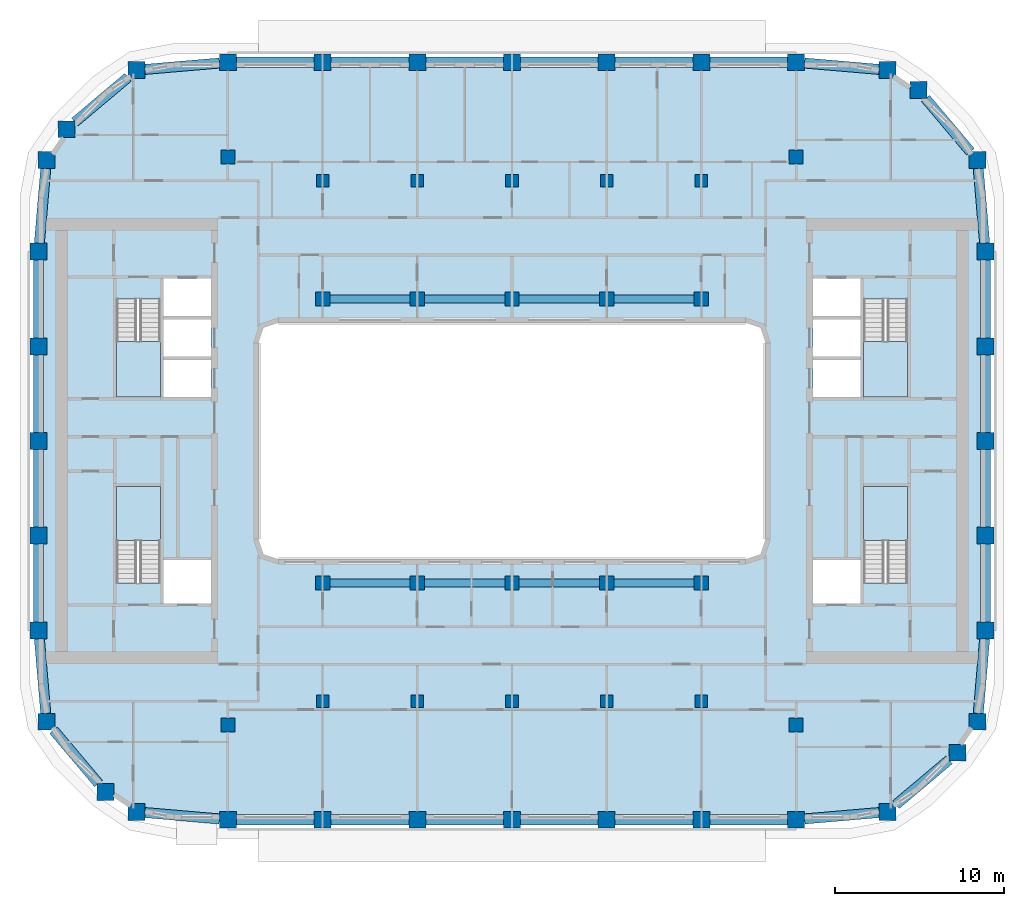
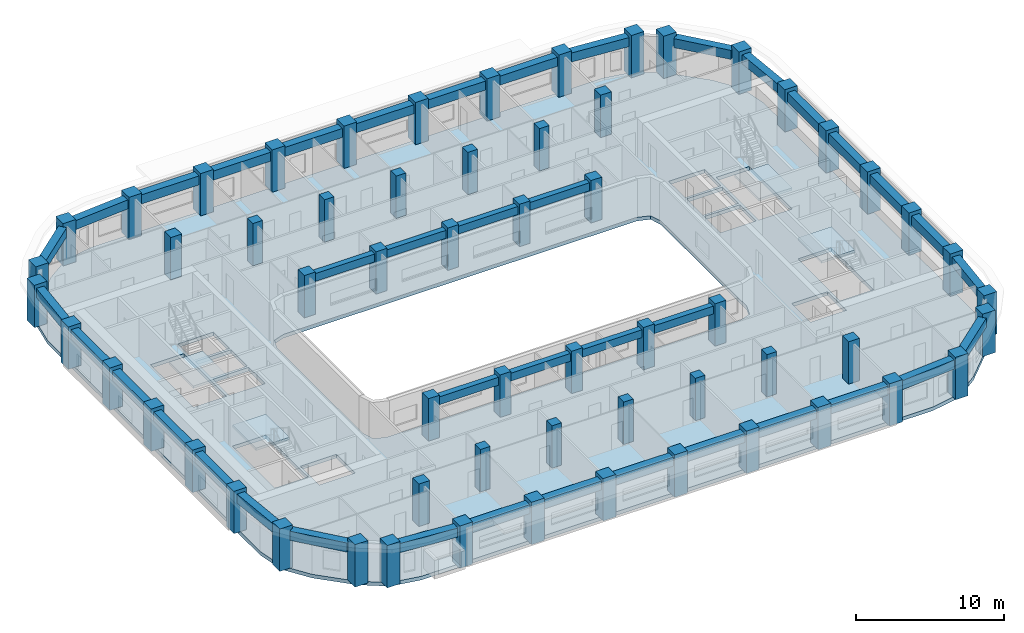
# One storey, part 1 of 22: 60 columns, 40 beams, 5 slabs, 4 elements without a shape of their own.
"""IFC4 building model written with IfcOpenShell, lengths in metres."""

from ifc_helpers import new_model, si_unit, direction, frame, origin, origin_2d, place, context, subcontext, project, spatial, polyline, rectangle, outline, extrude, material, layer, layer_set, material_profile, profile_set, type_object, element, aggregate, save


model = new_model("IFC4")

# Units and contexts
model_context = context("Model", 3, precision=1e-05, world=origin(), true_north=direction((0.0, 1.0)))
body_context = subcontext(model_context, "Body", "Model", "MODEL_VIEW")
ifc_project = project(units=[si_unit("LENGTHUNIT", "METRE"), si_unit("AREAUNIT", "SQUARE_METRE"), si_unit("VOLUMEUNIT", "CUBIC_METRE"), si_unit("PLANEANGLEUNIT", "RADIAN"), si_unit("MASSUNIT", "GRAM", prefix="KILO")], contexts=[model_context])

# Site, building, storey
site_placement = place(None, origin())
site = spatial("IfcSite", under=ifc_project, at=site_placement, CompositionType="ELEMENT")
building_placement = place(site_placement, origin())
building = spatial("IfcBuilding", under=site, at=building_placement, Name="Kiln Ring Residences", CompositionType="ELEMENT")
storey_placement = place(building_placement, frame((0.0, 0.0, 171.10009765625)))
storey = spatial("IfcBuildingStorey", under=building, at=storey_placement, Name="L44", CompositionType="ELEMENT", Elevation=171.10009765625)

# Columns
ifc_material_1 = material(Name="Concrete C70/85", Category="concrete")
ifc_material_profile_1 = material_profile(ifc_material_1, rectangle(XDim=0.75, YDim=0.75, at=origin_2d()), Name="RC750x750")
ifc_profile_set_1 = profile_set([ifc_material_profile_1], Name="Concrete C70/85")
column_type_1 = type_object("IfcColumnType", Name="Corridor column RC750x750 C70/85", PredefinedType="COLUMN", material=ifc_profile_set_1)
for number, where, z_axis, x_axis, name in (
    (1, (-11.199951171875, 15.39990234375, 0.0), (0.0, 0.0, 1.0), (1.0, 0.0, 0.0), "Corridor column L44 1"),
    (2, (-5.60009765625, 15.39990234375, 0.0), (0.0, 0.0, 1.0), (1.0, 0.0, 0.0), "Corridor column L44 2"),
    (3, (0.0, 15.39990234375, 0.0), (0.0, 0.0, 1.0), (1.0, 0.0, 0.0), "Corridor column L44 3"),
    (4, (5.60009765625, 15.39990234375, 0.0), (0.0, 0.0, 1.0), (1.0, 0.0, 0.0), "Corridor column L44 4"),
    (5, (11.199951171875, 15.39990234375, 0.0), (0.0, 0.0, 1.0), (1.0, 0.0, 0.0), "Corridor column L44 5"),
    (6, (-11.199951171875, -15.39990234375, 0.0), (0.0, 0.0, 1.0), (1.0, 0.0, 0.0), "Corridor column L44 6"),
    (7, (-5.60009765625, -15.39990234375, 0.0), (0.0, 0.0, 1.0), (1.0, 0.0, 0.0), "Corridor column L44 7"),
    (8, (0.0, -15.39990234375, 0.0), (0.0, 0.0, 1.0), (1.0, 0.0, 0.0), "Corridor column L44 8"),
    (9, (5.60009765625, -15.39990234375, 0.0), (0.0, 0.0, 1.0), (1.0, 0.0, 0.0), "Corridor column L44 9"),
    (10, (11.199951171875, -15.39990234375, 0.0), (0.0, 0.0, 1.0), (1.0, 0.0, 0.0), "Corridor column L44 10"),
):
    element("IfcColumn", number, at=place(storey_placement, frame(where, z_axis=z_axis, x_axis=x_axis)), inside=storey, type_object=column_type_1, Name=name, PredefinedType="COLUMN", context=body_context, shape_type="SweptSolid", body=[
        extrude(rectangle(XDim=0.75, YDim=0.75, at=origin_2d()), origin(), (0.0, 0.0, 1.0), 3.5),
    ])
ifc_material_2 = material(Name="Concrete C70/85", Category="concrete")
ifc_material_profile_2 = material_profile(ifc_material_2, rectangle(XDim=1.0, YDim=1.0, at=origin_2d()), Name="RC1000x1000")
ifc_profile_set_2 = profile_set([ifc_material_profile_2], Name="Concrete C70/85")
column_type_2 = type_object("IfcColumnType", Name="Perimeter column RC1000x1000 C70/85", PredefinedType="COLUMN", material=ifc_profile_set_2)
for number, where, z_axis, x_axis, name in (
    (11, (-22.208740234375, -21.93798828125, 0.0), (0.0, 0.0, 1.0), (1.0, 0.0, 0.0), "Perimeter column L44 1"),
    (12, (-16.800048828125, -22.39990234375, 0.0), (0.0, 0.0, 1.0), (1.0, 0.0, 0.0), "Perimeter column L44 2"),
    (13, (-11.199951171875, -22.39990234375, 0.0), (0.0, 0.0, 1.0), (1.0, 0.0, 0.0), "Perimeter column L44 3"),
    (14, (-5.60009765625, -22.39990234375, 0.0), (0.0, 0.0, 1.0), (1.0, 0.0, 0.0), "Perimeter column L44 4"),
    (15, (0.0, -22.39990234375, 0.0), (0.0, 0.0, 1.0), (1.0, 0.0, 0.0), "Perimeter column L44 5"),
    (16, (5.60009765625, -22.39990234375, 0.0), (0.0, 0.0, 1.0), (1.0, 0.0, 0.0), "Perimeter column L44 6"),
    (17, (11.199951171875, -22.39990234375, 0.0), (0.0, 0.0, 1.0), (1.0, 0.0, 0.0), "Perimeter column L44 7"),
    (18, (16.800048828125, -22.39990234375, 0.0), (0.0, 0.0, 1.0), (1.0, 0.0, 0.0), "Perimeter column L44 8"),
    (19, (22.208740234375, -21.93798828125, 0.0), (0.0, 0.0, 1.0), (1.0, 0.0, 0.0), "Perimeter column L44 9"),
    (20, (26.35986328125, -18.440185546875, 0.0), (0.0, 0.0, 1.0), (1.0, 0.0, 0.0), "Perimeter column L44 10"),
    (21, (27.5380859375, -16.608642578125, 0.0), (0.0, 0.0, 1.0), (1.0, 0.0, 0.0), "Perimeter column L44 11"),
    (22, (28.0, -11.199951171875, 0.0), (0.0, 0.0, 1.0), (1.0, 0.0, 0.0), "Perimeter column L44 12"),
    (23, (28.0, -5.60009765625, 0.0), (0.0, 0.0, 1.0), (1.0, 0.0, 0.0), "Perimeter column L44 13"),
    (24, (28.0, 0.0, 0.0), (0.0, 0.0, 1.0), (1.0, 0.0, 0.0), "Perimeter column L44 14"),
    (25, (28.0, 5.60009765625, 0.0), (0.0, 0.0, 1.0), (1.0, 0.0, 0.0), "Perimeter column L44 15"),
    (26, (28.0, 11.199951171875, 0.0), (0.0, 0.0, 1.0), (1.0, 0.0, 0.0), "Perimeter column L44 16"),
    (27, (27.5380859375, 16.608642578125, 0.0), (0.0, 0.0, 1.0), (1.0, 0.0, 0.0), "Perimeter column L44 17"),
    (28, (24.040283203125, 20.759765625, 0.0), (0.0, 0.0, 1.0), (1.0, 0.0, 0.0), "Perimeter column L44 18"),
    (29, (22.208740234375, 21.93798828125, 0.0), (0.0, 0.0, 1.0), (1.0, 0.0, 0.0), "Perimeter column L44 19"),
    (30, (16.800048828125, 22.39990234375, 0.0), (0.0, 0.0, 1.0), (1.0, 0.0, 0.0), "Perimeter column L44 20"),
    (31, (11.199951171875, 22.39990234375, 0.0), (0.0, 0.0, 1.0), (1.0, 0.0, 0.0), "Perimeter column L44 21"),
    (32, (5.60009765625, 22.39990234375, 0.0), (0.0, 0.0, 1.0), (1.0, 0.0, 0.0), "Perimeter column L44 22"),
    (33, (0.0, 22.39990234375, 0.0), (0.0, 0.0, 1.0), (1.0, 0.0, 0.0), "Perimeter column L44 23"),
    (34, (-5.60009765625, 22.39990234375, 0.0), (0.0, 0.0, 1.0), (1.0, 0.0, 0.0), "Perimeter column L44 24"),
    (35, (-11.199951171875, 22.39990234375, 0.0), (0.0, 0.0, 1.0), (1.0, 0.0, 0.0), "Perimeter column L44 25"),
    (36, (-16.800048828125, 22.39990234375, 0.0), (0.0, 0.0, 1.0), (1.0, 0.0, 0.0), "Perimeter column L44 26"),
    (37, (-22.208740234375, 21.93798828125, 0.0), (0.0, 0.0, 1.0), (1.0, 0.0, 0.0), "Perimeter column L44 27"),
    (38, (-26.35986328125, 18.440185546875, 0.0), (0.0, 0.0, 1.0), (1.0, 0.0, 0.0), "Perimeter column L44 28"),
    (39, (-27.5380859375, 16.608642578125, 0.0), (0.0, 0.0, 1.0), (1.0, 0.0, 0.0), "Perimeter column L44 29"),
    (40, (-28.0, 11.199951171875, 0.0), (0.0, 0.0, 1.0), (1.0, 0.0, 0.0), "Perimeter column L44 30"),
    (41, (-28.0, 5.60009765625, 0.0), (0.0, 0.0, 1.0), (1.0, 0.0, 0.0), "Perimeter column L44 31"),
    (42, (-28.0, 0.0, 0.0), (0.0, 0.0, 1.0), (1.0, 0.0, 0.0), "Perimeter column L44 32"),
    (43, (-28.0, -5.60009765625, 0.0), (0.0, 0.0, 1.0), (1.0, 0.0, 0.0), "Perimeter column L44 33"),
    (44, (-28.0, -11.199951171875, 0.0), (0.0, 0.0, 1.0), (1.0, 0.0, 0.0), "Perimeter column L44 34"),
    (45, (-27.5380859375, -16.608642578125, 0.0), (0.0, 0.0, 1.0), (1.0, 0.0, 0.0), "Perimeter column L44 35"),
    (46, (-24.040283203125, -20.759765625, 0.0), (0.0, 0.0, 1.0), (1.0, 0.0, 0.0), "Perimeter column L44 36"),
):
    element("IfcColumn", number, at=place(storey_placement, frame(where, z_axis=z_axis, x_axis=x_axis)), inside=storey, type_object=column_type_2, Name=name, PredefinedType="COLUMN", context=body_context, shape_type="SweptSolid", body=[
        extrude(rectangle(XDim=1.0, YDim=1.0, at=origin_2d()), origin(), (0.0, 0.0, 1.0), 3.5),
    ])
ifc_material_3 = material(Name="Concrete C70/85", Category="concrete")
ifc_material_profile_3 = material_profile(ifc_material_3, rectangle(XDim=0.85009765625, YDim=0.85009765625, at=origin_2d()), Name="RC850x850")
ifc_profile_set_3 = profile_set([ifc_material_profile_3], Name="Concrete C70/85")
column_type_3 = type_object("IfcColumnType", Name="Ring column RC850x850 C70/85", PredefinedType="COLUMN", material=ifc_profile_set_3)
for number, where, z_axis, x_axis, name in (
    (47, (-16.800048828125, -16.800048828125, 0.0), (0.0, 0.0, 1.0), (1.0, 0.0, 0.0), "Ring column L44 1"),
    (48, (-16.800048828125, 16.800048828125, 0.0), (0.0, 0.0, 1.0), (1.0, 0.0, 0.0), "Ring column L44 2"),
    (49, (-11.199951171875, -8.39990234375, 0.0), (0.0, 0.0, 1.0), (1.0, 0.0, 0.0), "Ring column L44 3"),
    (50, (-11.199951171875, 8.39990234375, 0.0), (0.0, 0.0, 1.0), (1.0, 0.0, 0.0), "Ring column L44 4"),
    (51, (-5.60009765625, -8.39990234375, 0.0), (0.0, 0.0, 1.0), (1.0, 0.0, 0.0), "Ring column L44 5"),
    (52, (-5.60009765625, 8.39990234375, 0.0), (0.0, 0.0, 1.0), (1.0, 0.0, 0.0), "Ring column L44 6"),
    (53, (0.0, -8.39990234375, 0.0), (0.0, 0.0, 1.0), (1.0, 0.0, 0.0), "Ring column L44 7"),
    (54, (0.0, 8.39990234375, 0.0), (0.0, 0.0, 1.0), (1.0, 0.0, 0.0), "Ring column L44 8"),
    (55, (5.60009765625, -8.39990234375, 0.0), (0.0, 0.0, 1.0), (1.0, 0.0, 0.0), "Ring column L44 9"),
    (56, (5.60009765625, 8.39990234375, 0.0), (0.0, 0.0, 1.0), (1.0, 0.0, 0.0), "Ring column L44 10"),
    (57, (11.199951171875, -8.39990234375, 0.0), (0.0, 0.0, 1.0), (1.0, 0.0, 0.0), "Ring column L44 11"),
    (58, (11.199951171875, 8.39990234375, 0.0), (0.0, 0.0, 1.0), (1.0, 0.0, 0.0), "Ring column L44 12"),
    (59, (16.800048828125, -16.800048828125, 0.0), (0.0, 0.0, 1.0), (1.0, 0.0, 0.0), "Ring column L44 13"),
    (60, (16.800048828125, 16.800048828125, 0.0), (0.0, 0.0, 1.0), (1.0, 0.0, 0.0), "Ring column L44 14"),
):
    element("IfcColumn", number, at=place(storey_placement, frame(where, z_axis=z_axis, x_axis=x_axis)), inside=storey, type_object=column_type_3, Name=name, PredefinedType="COLUMN", context=body_context, shape_type="SweptSolid", body=[
        extrude(rectangle(XDim=0.85009765625, YDim=0.85009765625, at=origin_2d()), origin(), (0.0, 0.0, 1.0), 3.5),
    ])

# Beams
ifc_material_4 = material(Name="Concrete C50/60", Category="concrete")
ifc_material_profile_4 = material_profile(ifc_material_4, rectangle(XDim=0.449951171875, YDim=0.64990234375, at=origin_2d()), Name="RC450x650")
ifc_profile_set_4 = profile_set([ifc_material_profile_4], Name="Concrete C50/60")
beam_type_1 = type_object("IfcBeamType", Name="Ring beam RC450x650 C50/60", PredefinedType="BEAM", material=ifc_profile_set_4)
for number, where, z_axis, x_axis, name in (
    (61, (-10.77490234375, -8.39990234375, 2.875), (1.0, 0.0, 0.0), (0.0, 1.0, 0.0), "Ring beam L44 1"),
    (62, (-5.175048828125, -8.39990234375, 2.875), (1.0, 0.0, 0.0), (0.0, 1.0, 0.0), "Ring beam L44 2"),
    (63, (0.425048828125, -8.39990234375, 2.875), (1.0, 0.0, 0.0), (0.0, 1.0, 0.0), "Ring beam L44 3"),
    (64, (6.02490234375, -8.39990234375, 2.875), (1.0, 0.0, 0.0), (0.0, 1.0, 0.0), "Ring beam L44 4"),
    (65, (-10.77490234375, 8.39990234375, 2.875), (1.0, 0.0, 0.0), (0.0, 1.0, 0.0), "Ring beam L44 5"),
    (66, (-5.175048828125, 8.39990234375, 2.875), (1.0, 0.0, 0.0), (0.0, 1.0, 0.0), "Ring beam L44 6"),
    (67, (0.425048828125, 8.39990234375, 2.875), (1.0, 0.0, 0.0), (0.0, 1.0, 0.0), "Ring beam L44 7"),
    (68, (6.02490234375, 8.39990234375, 2.875), (1.0, 0.0, 0.0), (0.0, 1.0, 0.0), "Ring beam L44 8"),
):
    element("IfcBeam", number, at=place(storey_placement, frame(where, z_axis=z_axis, x_axis=x_axis)), inside=storey, type_object=beam_type_1, Name=name, PredefinedType="BEAM", context=body_context, shape_type="SweptSolid", body=[
        extrude(rectangle(XDim=0.449951171875, YDim=0.64990234375, at=origin_2d()), origin(), (0.0, 0.0, 1.0), 4.75),
    ])
ifc_material_5 = material(Name="Concrete C50/60", Category="concrete")
ifc_material_profile_5 = material_profile(ifc_material_5, rectangle(XDim=0.60009765625, YDim=0.75, at=origin_2d()), Name="RC600x750")
ifc_profile_set_5 = profile_set([ifc_material_profile_5], Name="Concrete C50/60")
beam_type_2 = type_object("IfcBeamType", Name="Spandrel beam RC600x750 C50/60", PredefinedType="SPANDREL", material=ifc_profile_set_5)
beam_1_placement = place(storey_placement, frame((-21.708740234375, -21.980712890625, 2.824951171875), z_axis=(0.996369283519, -0.0851366599, 0.0), x_axis=(0.0851366599, 0.996369283519, 0.0)))
element("IfcBeam", 69, at=beam_1_placement, inside=storey, type_object=beam_type_2, Name="Spandrel beam L44 1", PredefinedType="SPANDREL", context=body_context, shape_type="SweptSolid", body=[
    extrude(rectangle(XDim=0.60009765625, YDim=0.75, at=origin_2d()), origin(), (0.0, 0.0, 1.0), 4.4248046875),
])
beam_2_placement = place(storey_placement, frame((-16.300048828125, -22.39990234375, 2.824951171875), z_axis=(1.0, 0.0, 0.0), x_axis=(0.0, 1.0, 0.0)))
element("IfcBeam", 70, at=beam_2_placement, inside=storey, type_object=beam_type_2, Name="Spandrel beam L44 2", PredefinedType="SPANDREL", context=body_context, shape_type="SweptSolid", body=[
    extrude(rectangle(XDim=0.60009765625, YDim=0.75, at=origin_2d()), origin(), (0.0, 0.0, 1.0), 4.60009765625),
])
beam_3_placement = place(storey_placement, frame((-10.699951171875, -22.39990234375, 2.824951171875), z_axis=(1.0, 0.0, 0.0), x_axis=(0.0, 1.0, 0.0)))
element("IfcBeam", 71, at=beam_3_placement, inside=storey, type_object=beam_type_2, Name="Spandrel beam L44 3", PredefinedType="SPANDREL", context=body_context, shape_type="SweptSolid", body=[
    extrude(rectangle(XDim=0.60009765625, YDim=0.75, at=origin_2d()), origin(), (0.0, 0.0, 1.0), 4.599853515625),
])
for number, where, z_axis, x_axis, name in (
    (72, (-5.10009765625, -22.39990234375, 2.824951171875), (1.0, 0.0, 0.0), (0.0, 1.0, 0.0), "Spandrel beam L44 4"),
    (73, (0.5, -22.39990234375, 2.824951171875), (1.0, 0.0, 0.0), (0.0, 1.0, 0.0), "Spandrel beam L44 5"),
):
    element("IfcBeam", number, at=place(storey_placement, frame(where, z_axis=z_axis, x_axis=x_axis)), inside=storey, type_object=beam_type_2, Name=name, PredefinedType="SPANDREL", context=body_context, shape_type="SweptSolid", body=[
        extrude(rectangle(XDim=0.60009765625, YDim=0.75, at=origin_2d()), origin(), (0.0, 0.0, 1.0), 4.60009765625),
    ])
beam_4_placement = place(storey_placement, frame((6.10009765625, -22.39990234375, 2.824951171875), z_axis=(1.0, 0.0, 0.0), x_axis=(0.0, 1.0, 0.0)))
element("IfcBeam", 74, at=beam_4_placement, inside=storey, type_object=beam_type_2, Name="Spandrel beam L44 6", PredefinedType="SPANDREL", context=body_context, shape_type="SweptSolid", body=[
    extrude(rectangle(XDim=0.60009765625, YDim=0.75, at=origin_2d()), origin(), (0.0, 0.0, 1.0), 4.599853515625),
])
beam_5_placement = place(storey_placement, frame((11.699951171875, -22.39990234375, 2.824951171875), z_axis=(1.0, 0.0, 0.0), x_axis=(0.0, 1.0, 0.0)))
element("IfcBeam", 75, at=beam_5_placement, inside=storey, type_object=beam_type_2, Name="Spandrel beam L44 7", PredefinedType="SPANDREL", context=body_context, shape_type="SweptSolid", body=[
    extrude(rectangle(XDim=0.60009765625, YDim=0.75, at=origin_2d()), origin(), (0.0, 0.0, 1.0), 4.60009765625),
])
beam_6_placement = place(storey_placement, frame((17.300048828125, -22.357421875, 2.824951171875), z_axis=(0.996369283519, 0.0851366599, 0.0), x_axis=(-0.0851366599, 0.996369283519, 0.0)))
element("IfcBeam", 76, at=beam_6_placement, inside=storey, type_object=beam_type_2, Name="Spandrel beam L44 8", PredefinedType="SPANDREL", context=body_context, shape_type="SweptSolid", body=[
    extrude(rectangle(XDim=0.60009765625, YDim=0.75, at=origin_2d()), origin(), (0.0, 0.0, 1.0), 4.4248046875),
])
beam_7_placement = place(storey_placement, frame((22.708740234375, -21.516845703125, 2.824951171875), z_axis=(0.764708354916, 0.644376545136, 0.0), x_axis=(-0.644376545136, 0.764708354916, 0.0)))
element("IfcBeam", 77, at=beam_7_placement, inside=storey, type_object=beam_type_2, Name="Spandrel beam L44 9", PredefinedType="SPANDREL", context=body_context, shape_type="SweptSolid", body=[
    extrude(rectangle(XDim=0.60009765625, YDim=0.75, at=origin_2d()), origin(), (0.0, 0.0, 1.0), 4.12060546875),
])
beam_8_placement = place(storey_placement, frame((27.580810546875, -16.108642578125, 2.824951171875), z_axis=(0.085081883384, 0.996373962486, 0.0), x_axis=(-0.996373962486, 0.085081883384, 0.0)))
element("IfcBeam", 78, at=beam_8_placement, inside=storey, type_object=beam_type_2, Name="Spandrel beam L44 10", PredefinedType="SPANDREL", context=body_context, shape_type="SweptSolid", body=[
    extrude(rectangle(XDim=0.60009765625, YDim=0.75, at=origin_2d()), origin(), (0.0, 0.0, 1.0), 4.4248046875),
])
beam_9_placement = place(storey_placement, frame((28.0, -10.699951171875, 2.824951171875), z_axis=(0.0, 1.0, 0.0), x_axis=(-1.0, 0.0, 0.0)))
element("IfcBeam", 79, at=beam_9_placement, inside=storey, type_object=beam_type_2, Name="Spandrel beam L44 11", PredefinedType="SPANDREL", context=body_context, shape_type="SweptSolid", body=[
    extrude(rectangle(XDim=0.60009765625, YDim=0.75, at=origin_2d()), origin(), (0.0, 0.0, 1.0), 4.599853515625),
])
for number, where, z_axis, x_axis, name in (
    (80, (28.0, -5.10009765625, 2.824951171875), (0.0, 1.0, 0.0), (-1.0, 0.0, 0.0), "Spandrel beam L44 12"),
    (81, (28.0, 0.5, 2.824951171875), (0.0, 1.0, 0.0), (-1.0, 0.0, 0.0), "Spandrel beam L44 13"),
):
    element("IfcBeam", number, at=place(storey_placement, frame(where, z_axis=z_axis, x_axis=x_axis)), inside=storey, type_object=beam_type_2, Name=name, PredefinedType="SPANDREL", context=body_context, shape_type="SweptSolid", body=[
        extrude(rectangle(XDim=0.60009765625, YDim=0.75, at=origin_2d()), origin(), (0.0, 0.0, 1.0), 4.60009765625),
    ])
beam_10_placement = place(storey_placement, frame((28.0, 6.10009765625, 2.824951171875), z_axis=(0.0, 1.0, 0.0), x_axis=(-1.0, 0.0, 0.0)))
element("IfcBeam", 82, at=beam_10_placement, inside=storey, type_object=beam_type_2, Name="Spandrel beam L44 14", PredefinedType="SPANDREL", context=body_context, shape_type="SweptSolid", body=[
    extrude(rectangle(XDim=0.60009765625, YDim=0.75, at=origin_2d()), origin(), (0.0, 0.0, 1.0), 4.599853515625),
])
beam_11_placement = place(storey_placement, frame((27.957275390625, 11.699951171875, 2.824951171875), z_axis=(-0.085081883384, 0.996373962486, 0.0), x_axis=(-0.996373962486, -0.085081883384, 0.0)))
element("IfcBeam", 83, at=beam_11_placement, inside=storey, type_object=beam_type_2, Name="Spandrel beam L44 15", PredefinedType="SPANDREL", context=body_context, shape_type="SweptSolid", body=[
    extrude(rectangle(XDim=0.60009765625, YDim=0.75, at=origin_2d()), origin(), (0.0, 0.0, 1.0), 4.4248046875),
])
beam_12_placement = place(storey_placement, frame((27.11669921875, 17.108642578125, 2.824951171875), z_axis=(-0.644376545136, 0.764708354916, 0.0), x_axis=(-0.764708354916, -0.644376545136, 0.0)))
element("IfcBeam", 84, at=beam_12_placement, inside=storey, type_object=beam_type_2, Name="Spandrel beam L44 16", PredefinedType="SPANDREL", context=body_context, shape_type="SweptSolid", body=[
    extrude(rectangle(XDim=0.60009765625, YDim=0.75, at=origin_2d()), origin(), (0.0, 0.0, 1.0), 4.12060546875),
])
beam_13_placement = place(storey_placement, frame((21.708740234375, 21.980712890625, 2.824951171875), z_axis=(-0.996369283519, 0.0851366599, 0.0), x_axis=(-0.0851366599, -0.996369283519, 0.0)))
element("IfcBeam", 85, at=beam_13_placement, inside=storey, type_object=beam_type_2, Name="Spandrel beam L44 17", PredefinedType="SPANDREL", context=body_context, shape_type="SweptSolid", body=[
    extrude(rectangle(XDim=0.60009765625, YDim=0.75, at=origin_2d()), origin(), (0.0, 0.0, 1.0), 4.4248046875),
])
beam_14_placement = place(storey_placement, frame((16.300048828125, 22.39990234375, 2.824951171875), z_axis=(-1.0, 0.0, 0.0), x_axis=(0.0, -1.0, 0.0)))
element("IfcBeam", 86, at=beam_14_placement, inside=storey, type_object=beam_type_2, Name="Spandrel beam L44 18", PredefinedType="SPANDREL", context=body_context, shape_type="SweptSolid", body=[
    extrude(rectangle(XDim=0.60009765625, YDim=0.75, at=origin_2d()), origin(), (0.0, 0.0, 1.0), 4.60009765625),
])
beam_15_placement = place(storey_placement, frame((10.699951171875, 22.39990234375, 2.824951171875), z_axis=(-1.0, 0.0, 0.0), x_axis=(0.0, -1.0, 0.0)))
element("IfcBeam", 87, at=beam_15_placement, inside=storey, type_object=beam_type_2, Name="Spandrel beam L44 19", PredefinedType="SPANDREL", context=body_context, shape_type="SweptSolid", body=[
    extrude(rectangle(XDim=0.60009765625, YDim=0.75, at=origin_2d()), origin(), (0.0, 0.0, 1.0), 4.599853515625),
])
for number, where, z_axis, x_axis, name in (
    (88, (5.10009765625, 22.39990234375, 2.824951171875), (-1.0, 0.0, 0.0), (0.0, -1.0, 0.0), "Spandrel beam L44 20"),
    (89, (-0.5, 22.39990234375, 2.824951171875), (-1.0, 0.0, 0.0), (0.0, -1.0, 0.0), "Spandrel beam L44 21"),
):
    element("IfcBeam", number, at=place(storey_placement, frame(where, z_axis=z_axis, x_axis=x_axis)), inside=storey, type_object=beam_type_2, Name=name, PredefinedType="SPANDREL", context=body_context, shape_type="SweptSolid", body=[
        extrude(rectangle(XDim=0.60009765625, YDim=0.75, at=origin_2d()), origin(), (0.0, 0.0, 1.0), 4.60009765625),
    ])
beam_16_placement = place(storey_placement, frame((-6.10009765625, 22.39990234375, 2.824951171875), z_axis=(-1.0, 0.0, 0.0), x_axis=(0.0, -1.0, 0.0)))
element("IfcBeam", 90, at=beam_16_placement, inside=storey, type_object=beam_type_2, Name="Spandrel beam L44 22", PredefinedType="SPANDREL", context=body_context, shape_type="SweptSolid", body=[
    extrude(rectangle(XDim=0.60009765625, YDim=0.75, at=origin_2d()), origin(), (0.0, 0.0, 1.0), 4.599853515625),
])
beam_17_placement = place(storey_placement, frame((-11.699951171875, 22.39990234375, 2.824951171875), z_axis=(-1.0, 0.0, 0.0), x_axis=(0.0, -1.0, 0.0)))
element("IfcBeam", 91, at=beam_17_placement, inside=storey, type_object=beam_type_2, Name="Spandrel beam L44 23", PredefinedType="SPANDREL", context=body_context, shape_type="SweptSolid", body=[
    extrude(rectangle(XDim=0.60009765625, YDim=0.75, at=origin_2d()), origin(), (0.0, 0.0, 1.0), 4.60009765625),
])
beam_18_placement = place(storey_placement, frame((-17.300048828125, 22.357421875, 2.824951171875), z_axis=(-0.996369283519, -0.0851366599, 0.0), x_axis=(0.0851366599, -0.996369283519, 0.0)))
element("IfcBeam", 92, at=beam_18_placement, inside=storey, type_object=beam_type_2, Name="Spandrel beam L44 24", PredefinedType="SPANDREL", context=body_context, shape_type="SweptSolid", body=[
    extrude(rectangle(XDim=0.60009765625, YDim=0.75, at=origin_2d()), origin(), (0.0, 0.0, 1.0), 4.4248046875),
])
beam_19_placement = place(storey_placement, frame((-22.708740234375, 21.516845703125, 2.824951171875), z_axis=(-0.764708354916, -0.644376545136, 0.0), x_axis=(0.644376545136, -0.764708354916, 0.0)))
element("IfcBeam", 93, at=beam_19_placement, inside=storey, type_object=beam_type_2, Name="Spandrel beam L44 25", PredefinedType="SPANDREL", context=body_context, shape_type="SweptSolid", body=[
    extrude(rectangle(XDim=0.60009765625, YDim=0.75, at=origin_2d()), origin(), (0.0, 0.0, 1.0), 4.12060546875),
])
beam_20_placement = place(storey_placement, frame((-27.580810546875, 16.108642578125, 2.824951171875), z_axis=(-0.085081883384, -0.996373962486, 0.0), x_axis=(0.996373962486, -0.085081883384, 0.0)))
element("IfcBeam", 94, at=beam_20_placement, inside=storey, type_object=beam_type_2, Name="Spandrel beam L44 26", PredefinedType="SPANDREL", context=body_context, shape_type="SweptSolid", body=[
    extrude(rectangle(XDim=0.60009765625, YDim=0.75, at=origin_2d()), origin(), (0.0, 0.0, 1.0), 4.4248046875),
])
beam_21_placement = place(storey_placement, frame((-28.0, 10.699951171875, 2.824951171875), z_axis=(0.0, -1.0, 0.0), x_axis=(1.0, 0.0, 0.0)))
element("IfcBeam", 95, at=beam_21_placement, inside=storey, type_object=beam_type_2, Name="Spandrel beam L44 27", PredefinedType="SPANDREL", context=body_context, shape_type="SweptSolid", body=[
    extrude(rectangle(XDim=0.60009765625, YDim=0.75, at=origin_2d()), origin(), (0.0, 0.0, 1.0), 4.599853515625),
])
for number, where, z_axis, x_axis, name in (
    (96, (-28.0, 5.10009765625, 2.824951171875), (0.0, -1.0, 0.0), (1.0, 0.0, 0.0), "Spandrel beam L44 28"),
    (97, (-28.0, -0.5, 2.824951171875), (0.0, -1.0, 0.0), (1.0, 0.0, 0.0), "Spandrel beam L44 29"),
):
    element("IfcBeam", number, at=place(storey_placement, frame(where, z_axis=z_axis, x_axis=x_axis)), inside=storey, type_object=beam_type_2, Name=name, PredefinedType="SPANDREL", context=body_context, shape_type="SweptSolid", body=[
        extrude(rectangle(XDim=0.60009765625, YDim=0.75, at=origin_2d()), origin(), (0.0, 0.0, 1.0), 4.60009765625),
    ])
beam_22_placement = place(storey_placement, frame((-28.0, -6.10009765625, 2.824951171875), z_axis=(0.0, -1.0, 0.0), x_axis=(1.0, 0.0, 0.0)))
element("IfcBeam", 98, at=beam_22_placement, inside=storey, type_object=beam_type_2, Name="Spandrel beam L44 30", PredefinedType="SPANDREL", context=body_context, shape_type="SweptSolid", body=[
    extrude(rectangle(XDim=0.60009765625, YDim=0.75, at=origin_2d()), origin(), (0.0, 0.0, 1.0), 4.599853515625),
])
beam_23_placement = place(storey_placement, frame((-27.957275390625, -11.699951171875, 2.824951171875), z_axis=(0.085081883384, -0.996373962486, 0.0), x_axis=(0.996373962486, 0.085081883384, 0.0)))
element("IfcBeam", 99, at=beam_23_placement, inside=storey, type_object=beam_type_2, Name="Spandrel beam L44 31", PredefinedType="SPANDREL", context=body_context, shape_type="SweptSolid", body=[
    extrude(rectangle(XDim=0.60009765625, YDim=0.75, at=origin_2d()), origin(), (0.0, 0.0, 1.0), 4.4248046875),
])
beam_24_placement = place(storey_placement, frame((-27.11669921875, -17.108642578125, 2.824951171875), z_axis=(0.644376545136, -0.764708354916, 0.0), x_axis=(0.764708354916, 0.644376545136, 0.0)))
element("IfcBeam", 100, at=beam_24_placement, inside=storey, type_object=beam_type_2, Name="Spandrel beam L44 32", PredefinedType="SPANDREL", context=body_context, shape_type="SweptSolid", body=[
    extrude(rectangle(XDim=0.60009765625, YDim=0.75, at=origin_2d()), origin(), (0.0, 0.0, 1.0), 4.12060546875),
])

# Stair, slab
ifc_material_6 = material(Name="Concrete C40/50", Category="concrete")
stair_type = type_object("IfcStairType", Name="CORE-STAIR", PredefinedType="HALF_TURN_STAIR", material=ifc_material_6)
placement_1 = place(storey_placement, origin())
stair_1 = element("IfcStair", 101, at=placement_1, inside=storey, type_object=stair_type, Name="L44 stair W-STN", PredefinedType="HALF_TURN_STAIR")
ifc_material_7 = material(Name="Concrete C40/50", Category="concrete")
ifc_layer_1 = layer(ifc_material_7, 0.199951171875)
ifc_layer_set_1 = layer_set([ifc_layer_1], Name="CORE-STAIR-LANDING")
slab_type_1 = type_object("IfcSlabType", Name="CORE-STAIR-LANDING", PredefinedType="LANDING", material=ifc_layer_set_1)
placement_2 = place(storey_placement, frame((0.0, 0.0, 1.5498046875)))
slab_1 = element("IfcSlab", 102, at=placement_2, type_object=slab_type_1, Name="W-STN landing 1", PredefinedType="LANDING", context=body_context, shape_type="SweptSolid", body=[
    extrude(outline(polyline([(-23.39990234375, 5.8798828125), (-23.39990234375, 2.60009765625), (-20.800048828125, 2.60009765625), (-20.800048828125, 5.8798828125), (-23.39990234375, 5.8798828125)])), origin(), (0.0, 0.0, 1.0), 0.2001953125),
])
aggregate(stair_1, [slab_1])

stair_2 = element("IfcStair", 103, at=placement_1, inside=storey, type_object=stair_type, Name="L44 stair W-STS", PredefinedType="HALF_TURN_STAIR")
slab_2 = element("IfcSlab", 104, at=placement_2, type_object=slab_type_1, Name="W-STS landing 1", PredefinedType="LANDING", context=body_context, shape_type="SweptSolid", body=[
    extrude(outline(polyline([(-20.800048828125, -5.8798828125), (-20.800048828125, -2.699951171875), (-23.39990234375, -2.699951171875), (-23.39990234375, -5.8798828125), (-20.800048828125, -5.8798828125)])), origin(), (0.0, 0.0, 1.0), 0.2001953125),
])
aggregate(stair_2, [slab_2])

stair_3 = element("IfcStair", 105, at=placement_1, inside=storey, type_object=stair_type, Name="L44 stair E-STN", PredefinedType="HALF_TURN_STAIR")
slab_3 = element("IfcSlab", 106, at=placement_2, type_object=slab_type_1, Name="E-STN landing 1", PredefinedType="LANDING", context=body_context, shape_type="SweptSolid", body=[
    extrude(outline(polyline([(20.800048828125, 5.8798828125), (20.800048828125, 2.60009765625), (23.39990234375, 2.60009765625), (23.39990234375, 5.8798828125), (20.800048828125, 5.8798828125)])), origin(), (0.0, 0.0, 1.0), 0.2001953125),
])
aggregate(stair_3, [slab_3])

stair_4 = element("IfcStair", 107, at=placement_1, inside=storey, type_object=stair_type, Name="L44 stair E-STS", PredefinedType="HALF_TURN_STAIR")
slab_4 = element("IfcSlab", 108, at=placement_2, type_object=slab_type_1, Name="E-STS landing 1", PredefinedType="LANDING", context=body_context, shape_type="SweptSolid", body=[
    extrude(outline(polyline([(23.39990234375, -5.8798828125), (23.39990234375, -2.699951171875), (20.800048828125, -2.699951171875), (20.800048828125, -5.8798828125), (23.39990234375, -5.8798828125)])), origin(), (0.0, 0.0, 1.0), 0.2001953125),
])
aggregate(stair_4, [slab_4])

# Slab
ifc_material_8 = material(Name="Concrete C40/50", Category="concrete")
ifc_layer_2 = layer(ifc_material_8, 0.300048828125)
ifc_layer_set_2 = layer_set([ifc_layer_2], Name="Floor slab 300")
slab_type_2 = type_object("IfcSlabType", Name="Floor slab 300", PredefinedType="FLOOR", material=ifc_layer_set_2)
slab_5_placement = place(storey_placement, frame((0.0, 0.0, -0.300048828125)))
element("IfcSlab", 109, at=slab_5_placement, inside=storey, type_object=slab_type_2, Name="Floor slab L44 1", PredefinedType="FLOOR", context=body_context, shape_type="SweptSolid", body=[
    extrude(outline(polyline([(-26.302978515625, -18.4970703125), (-24.09716796875, -20.702880859375), (-22.224365234375, -21.975830078125), (-20.0, -22.39990234375), (20.0, -22.39990234375), (22.224365234375, -21.975830078125), (24.09716796875, -20.702880859375), (26.302978515625, -18.4970703125), (27.57568359375, -16.624267578125), (28.0, -14.39990234375), (28.0, 14.39990234375), (27.57568359375, 16.624267578125), (26.302978515625, 18.4970703125), (24.09716796875, 20.702880859375), (22.224365234375, 21.975830078125), (20.0, 22.39990234375), (-20.0, 22.39990234375), (-22.224365234375, 21.975830078125), (-24.09716796875, 20.702880859375), (-26.302978515625, 18.4970703125), (-27.57568359375, 16.624267578125), (-28.0, 14.39990234375), (-28.0, -14.39990234375), (-27.57568359375, -16.624267578125), (-26.302978515625, -18.4970703125)]), holes=[polyline([(-14.699951171875, -6.699951171875), (-15.0, -5.800048828125), (-15.0, 5.800048828125), (-14.699951171875, 6.699951171875), (-13.800048828125, 7.0), (13.800048828125, 7.0), (14.699951171875, 6.699951171875), (15.0, 5.800048828125), (15.0, -5.800048828125), (14.699951171875, -6.699951171875), (13.800048828125, -7.0), (-13.800048828125, -7.0), (-14.699951171875, -6.699951171875)]), polyline([(20.800048828125, -8.39794921875), (20.800048828125, -2.699951171875), (23.39990234375, -2.699951171875), (23.39990234375, -8.39794921875), (20.800048828125, -8.39794921875)]), polyline([(23.39990234375, 2.60009765625), (20.800048828125, 2.60009765625), (20.800048828125, 8.39794921875), (23.39990234375, 8.39794921875), (23.39990234375, 2.60009765625)]), polyline([(17.800048828125, 2.60009765625), (17.800048828125, 4.800048828125), (20.60009765625, 4.800048828125), (20.60009765625, 2.60009765625), (17.800048828125, 2.60009765625)]), polyline([(17.800048828125, 5.0), (17.800048828125, 7.199951171875), (20.60009765625, 7.199951171875), (20.60009765625, 5.0), (17.800048828125, 5.0)]), polyline([(17.800048828125, 7.39990234375), (17.800048828125, 9.60009765625), (20.60009765625, 9.60009765625), (20.60009765625, 7.39990234375), (17.800048828125, 7.39990234375)]), polyline([(20.60009765625, -9.60009765625), (17.800048828125, -9.60009765625), (17.800048828125, -7.050048828125), (20.60009765625, -7.050048828125), (20.60009765625, -9.60009765625)]), polyline([(-17.800048828125, -7.050048828125), (-17.800048828125, -9.60009765625), (-20.60009765625, -9.60009765625), (-20.60009765625, -7.050048828125), (-17.800048828125, -7.050048828125)]), polyline([(-17.800048828125, 2.60009765625), (-20.60009765625, 2.60009765625), (-20.60009765625, 4.800048828125), (-17.800048828125, 4.800048828125), (-17.800048828125, 2.60009765625)]), polyline([(-17.800048828125, 5.0), (-20.60009765625, 5.0), (-20.60009765625, 7.199951171875), (-17.800048828125, 7.199951171875), (-17.800048828125, 5.0)]), polyline([(-17.800048828125, 7.39990234375), (-20.60009765625, 7.39990234375), (-20.60009765625, 9.60009765625), (-17.800048828125, 9.60009765625), (-17.800048828125, 7.39990234375)]), polyline([(-20.800048828125, -8.39794921875), (-23.39990234375, -8.39794921875), (-23.39990234375, -2.699951171875), (-20.800048828125, -2.699951171875), (-20.800048828125, -8.39794921875)]), polyline([(-20.800048828125, 8.39794921875), (-20.800048828125, 2.60009765625), (-23.39990234375, 2.60009765625), (-23.39990234375, 8.39794921875), (-20.800048828125, 8.39794921875)])]), origin(), (0.0, 0.0, 1.0), 0.300048828125),
])

save(model, "model.ifc")
